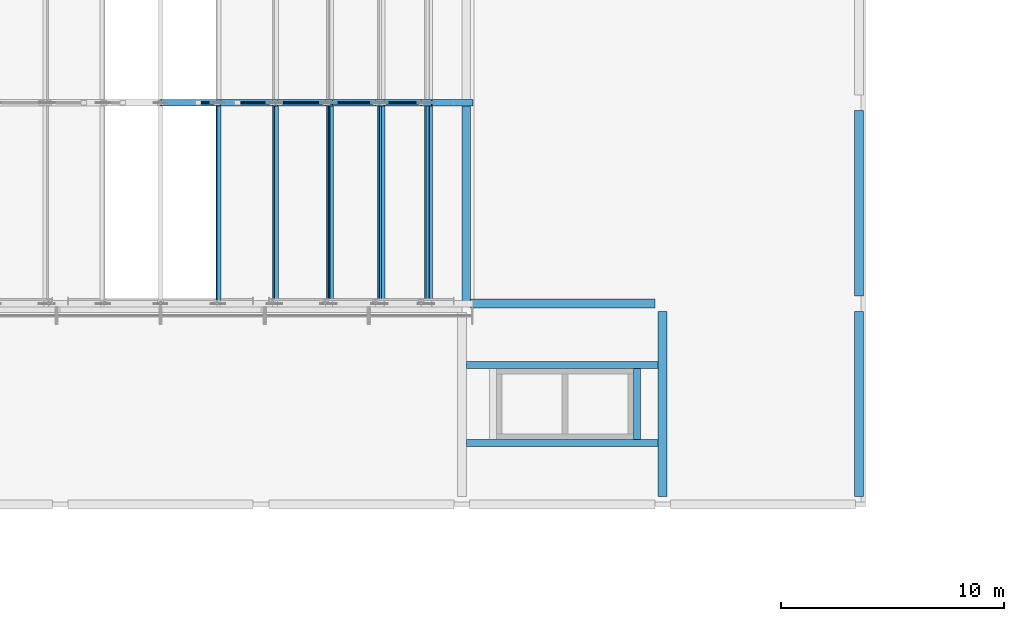
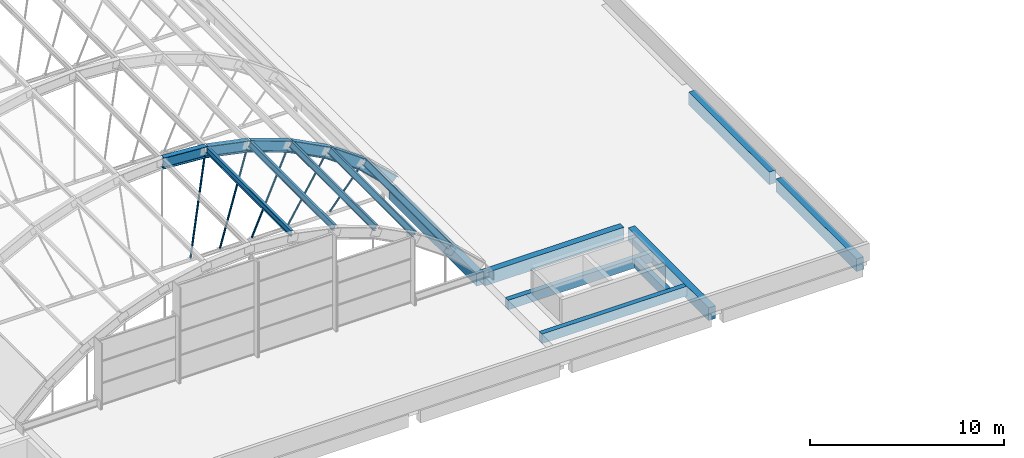
# One storey, part 8 of 43: 14 beams, 10 members.
"""IFC4 building model written with IfcOpenShell, lengths in metres."""

from ifc_helpers import new_model, si_unit, direction, frame, origin, origin_2d, place, context, subcontext, project, spatial, rectangle, hollow_circle, i_section, extrude, material, material_profile, profile_set, type_object, element, save


model = new_model("IFC4")

# Units and contexts
model_context = context("Model", 3, precision=1e-05, world=origin(), true_north=direction((0.0, 1.0)))
body_context = subcontext(model_context, "Body", "Model", "MODEL_VIEW")
ifc_project = project(units=[si_unit("LENGTHUNIT", "METRE"), si_unit("AREAUNIT", "SQUARE_METRE"), si_unit("VOLUMEUNIT", "CUBIC_METRE"), si_unit("PLANEANGLEUNIT", "RADIAN"), si_unit("MASSUNIT", "GRAM", prefix="KILO")], contexts=[model_context])

# Site, building, storey
site_placement = place(None, origin())
site = spatial("IfcSite", under=ifc_project, at=site_placement, CompositionType="ELEMENT")
building_placement = place(site_placement, origin())
building = spatial("IfcBuilding", under=site, at=building_placement, Name="Guidao Yard Department Store", CompositionType="ELEMENT")
storey_placement = place(building_placement, frame((0.0, 0.0, 28.5)))
storey = spatial("IfcBuildingStorey", under=building, at=storey_placement, Name="L06", CompositionType="ELEMENT", Elevation=28.5)

# Members
ifc_material_1 = material(Name="Steel Q355B", Category="steel")
ifc_material_profile_1 = material_profile(ifc_material_1, hollow_circle(Radius=0.056884765625, WallThickness=0.006103515625, at=origin_2d()), Name="CHS 114x6")
ifc_profile_set_1 = profile_set([ifc_material_profile_1], Name="Steel Q355B")
member_type_1 = type_object("IfcMemberType", Name="CHS 114x6", PredefinedType="BRACE", material=ifc_profile_set_1)
member_1_placement = place(storey_placement, frame((33.19189453125, 63.0, -0.33447265625), z_axis=(0.136467360836, 0.0, 0.990644567656), x_axis=(0.0, 1.0, 0.0)))
element("IfcMember", 1, at=member_1_placement, inside=storey, type_object=member_type_1, Name="Roof web strut A02-07", PredefinedType="BRACE", context=body_context, shape_type="SweptSolid", body=[
    extrude(hollow_circle(Radius=0.056884765625, WallThickness=0.006103515625, at=origin_2d()), origin(), (0.0, 0.0, 1.0), 6.1220703125),
])
member_2_placement = place(storey_placement, frame((34.946044921875, 63.0, -0.33447265625), z_axis=(0.270550525701, 0.0, 0.962705776986), x_axis=(0.0, 1.0, 0.0)))
element("IfcMember", 2, at=member_2_placement, inside=storey, type_object=member_type_1, Name="Roof web strut A02-08", PredefinedType="BRACE", context=body_context, shape_type="SweptSolid", body=[
    extrude(hollow_circle(Radius=0.056884765625, WallThickness=0.006103515625, at=origin_2d()), origin(), (0.0, 0.0, 1.0), 5.763427734375),
])
member_3_placement = place(storey_placement, frame((36.835693359375, 63.0, -0.33447265625), z_axis=(0.399904458312, 0.0, 0.916556830874), x_axis=(0.0, 1.0, 0.0)))
element("IfcMember", 3, at=member_3_placement, inside=storey, type_object=member_type_1, Name="Roof web strut A02-09", PredefinedType="BRACE", context=body_context, shape_type="SweptSolid", body=[
    extrude(hollow_circle(Radius=0.056884765625, WallThickness=0.006103515625, at=origin_2d()), origin(), (0.0, 0.0, 1.0), 5.127685546875),
])
member_4_placement = place(storey_placement, frame((38.959716796875, 63.0, -0.33447265625), z_axis=(0.522090893474, 0.0, 0.852889851594), x_axis=(0.0, 1.0, 0.0)))
element("IfcMember", 4, at=member_4_placement, inside=storey, type_object=member_type_1, Name="Roof web strut A02-10", PredefinedType="BRACE", context=body_context, shape_type="SweptSolid", body=[
    extrude(hollow_circle(Radius=0.056884765625, WallThickness=0.006103515625, at=origin_2d()), origin(), (0.0, 0.0, 1.0), 4.14404296875),
])
member_5_placement = place(storey_placement, frame((41.468017578125, 63.0, -0.33447265625), z_axis=(0.634904146186, 0.0, 0.772590917081), x_axis=(0.0, 1.0, 0.0)))
element("IfcMember", 5, at=member_5_placement, inside=storey, type_object=member_type_1, Name="Roof web strut A02-11", PredefinedType="BRACE", context=body_context, shape_type="SweptSolid", body=[
    extrude(hollow_circle(Radius=0.056884765625, WallThickness=0.006103515625, at=origin_2d()), origin(), (0.0, 0.0, 1.0), 2.686279296875),
])

# Beams
ifc_material_2 = material(Name="Concrete C40", Category="concrete")
ifc_material_profile_2 = material_profile(ifc_material_2, rectangle(XDim=0.39990234375, YDim=0.800048828125, at=origin_2d()), Name="Edge beam 400 x 800 C40")
ifc_profile_set_2 = profile_set([ifc_material_profile_2], Name="Concrete C40")
beam_type_1 = type_object("IfcBeamType", Name="Edge beam 400 x 800 C40", PredefinedType="BEAM", material=ifc_profile_set_2)
beam_1_placement = place(storey_placement, frame((45.39990234375, 54.0, -0.39990234375), z_axis=(1.0, 0.0, 0.0), x_axis=(0.0, 1.0, 0.0)))
element("IfcBeam", 6, at=beam_1_placement, inside=storey, type_object=beam_type_1, Name="Beam EB28", PredefinedType="BEAM", context=body_context, shape_type="SweptSolid", body=[
    extrude(rectangle(XDim=0.39990234375, YDim=0.800048828125, at=origin_2d()), origin(), (0.0, 0.0, 1.0), 8.25),
])
beam_2_placement = place(storey_placement, frame((54.0, 45.35009765625, -0.39990234375), z_axis=(0.0, 1.0, 0.0), x_axis=(-1.0, 0.0, 0.0)))
element("IfcBeam", 7, at=beam_2_placement, inside=storey, type_object=beam_type_1, Name="Beam EB30", PredefinedType="BEAM", context=body_context, shape_type="SweptSolid", body=[
    extrude(rectangle(XDim=0.39990234375, YDim=0.800048828125, at=origin_2d()), origin(), (0.0, 0.0, 1.0), 8.2998046875),
])

# Members
ifc_material_3 = material(Name="Steel Q355B", Category="steel")
ifc_material_profile_3 = material_profile(ifc_material_3, i_section(OverallWidth=0.175048828125, OverallDepth=0.35009765625, WebThickness=0.007080078125, FlangeThickness=0.010986328125, FilletRadius=0.012939453125, at=origin_2d()), Name="HN 350x175x7x11")
ifc_profile_set_3 = profile_set([ifc_material_profile_3], Name="Steel Q355B")
member_type_2 = type_object("IfcMemberType", Name="HN 350x175x7x11", PredefinedType="PURLIN", material=ifc_profile_set_3)
for number, where, z_axis, x_axis, name in (
    (8, (34.098388671875, 54.14990234375, 6.24609375), (0.0, 1.0, 0.0), (-0.990647128966, 0.0, 0.13644876647), "Roof purlin A01-07"),
    (9, (36.646240234375, 54.14990234375, 5.71533203125), (0.0, 1.0, 0.0), (-0.962711909047, 0.0, 0.270528704906), "Roof purlin A01-08"),
    (10, (39.09423828125, 54.14990234375, 4.84228515625), (0.0, 1.0, 0.0), (-0.916571220375, 0.0, 0.399871476828), "Roof purlin A01-09"),
    (11, (41.395263671875, 54.14990234375, 3.643798828125), (0.0, 1.0, 0.0), (-0.852874237271, 0.0, 0.522116400239), "Roof purlin A01-10"),
    (12, (43.504150390625, 54.14990234375, 2.14306640625), (0.0, 1.0, 0.0), (-0.772569517273, 0.0, 0.634930185911), "Roof purlin A01-11"),
):
    element("IfcMember", number, at=place(storey_placement, frame(where, z_axis=z_axis, x_axis=x_axis)), inside=storey, type_object=member_type_2, Name=name, PredefinedType="PURLIN", context=body_context, shape_type="SweptSolid", body=[
        extrude(i_section(OverallWidth=0.175048828125, OverallDepth=0.35009765625, WebThickness=0.007080078125, FlangeThickness=0.010986328125, FilletRadius=0.012939453125, at=origin_2d()), origin(), (0.0, 0.0, 1.0), 8.7001953125),
    ])

# Beams
ifc_material_4 = material(Name="Steel Q355B", Category="steel")
ifc_material_profile_4 = material_profile(ifc_material_4, i_section(OverallWidth=0.300048828125, OverallDepth=0.699951171875, WebThickness=0.012939453125, FlangeThickness=0.02392578125, FilletRadius=0.01806640625, at=origin_2d()), Name="HN 700x300x13x24")
ifc_profile_set_4 = profile_set([ifc_material_profile_4], Name="Steel Q355B")
beam_type_2 = type_object("IfcBeamType", Name="HN 700x300x13x24", PredefinedType="BEAM", material=ifc_profile_set_4)
beam_3_placement = place(storey_placement, frame((31.52392578125, 63.0, 6.252685546875), z_axis=(0.997662835171, 0.0, -0.06832911033), x_axis=(0.0, 1.0, 0.0)))
element("IfcBeam", 13, at=beam_3_placement, inside=storey, type_object=beam_type_2, Name="Roof rib A02-07", PredefinedType="BEAM", context=body_context, shape_type="SweptSolid", body=[
    extrude(i_section(OverallWidth=0.300048828125, OverallDepth=0.699951171875, WebThickness=0.012939453125, FlangeThickness=0.02392578125, FilletRadius=0.01806640625, at=origin_2d()), origin(), (0.0, 0.0, 1.0), 2.533203125),
])
beam_4_placement = place(storey_placement, frame((34.0986328125, 63.0, 6.072998046875), z_axis=(0.978991652307, 0.0, -0.203900330343), x_axis=(0.0, 1.0, 0.0)))
element("IfcBeam", 14, at=beam_4_placement, inside=storey, type_object=beam_type_2, Name="Roof rib A02-08", PredefinedType="BEAM", context=body_context, shape_type="SweptSolid", body=[
    extrude(i_section(OverallWidth=0.300048828125, OverallDepth=0.699951171875, WebThickness=0.012939453125, FlangeThickness=0.02392578125, FilletRadius=0.01806640625, at=origin_2d()), origin(), (0.0, 0.0, 1.0), 2.53125),
])
beam_5_placement = place(storey_placement, frame((36.622802734375, 63.0, 5.5439453125), z_axis=(0.94189041097, 0.0, -0.335920308588), x_axis=(0.0, 1.0, 0.0)))
element("IfcBeam", 15, at=beam_5_placement, inside=storey, type_object=beam_type_2, Name="Roof rib A02-09", PredefinedType="BEAM", context=body_context, shape_type="SweptSolid", body=[
    extrude(i_section(OverallWidth=0.300048828125, OverallDepth=0.699951171875, WebThickness=0.012939453125, FlangeThickness=0.02392578125, FilletRadius=0.01806640625, at=origin_2d()), origin(), (0.0, 0.0, 1.0), 2.52783203125),
])
beam_6_placement = place(storey_placement, frame((39.0478515625, 63.0, 4.675537109375), z_axis=(0.886910779875, 0.0, -0.461940763023), x_axis=(0.0, 1.0, 0.0)))
element("IfcBeam", 16, at=beam_6_placement, inside=storey, type_object=beam_type_2, Name="Roof rib A02-10", PredefinedType="BEAM", context=body_context, shape_type="SweptSolid", body=[
    extrude(i_section(OverallWidth=0.300048828125, OverallDepth=0.699951171875, WebThickness=0.012939453125, FlangeThickness=0.02392578125, FilletRadius=0.01806640625, at=origin_2d()), origin(), (0.0, 0.0, 1.0), 2.5224609375),
])
beam_7_placement = place(storey_placement, frame((41.326416015625, 63.0, 3.485107421875), z_axis=(0.814735308412, 0.0, -0.579833059791), x_axis=(0.0, 1.0, 0.0)))
element("IfcBeam", 17, at=beam_7_placement, inside=storey, type_object=beam_type_2, Name="Roof rib A02-11", PredefinedType="BEAM", context=body_context, shape_type="SweptSolid", body=[
    extrude(i_section(OverallWidth=0.300048828125, OverallDepth=0.699951171875, WebThickness=0.012939453125, FlangeThickness=0.02392578125, FilletRadius=0.01806640625, at=origin_2d()), origin(), (0.0, 0.0, 1.0), 2.51611328125),
])
beam_8_placement = place(storey_placement, frame((43.4140625, 63.0, 1.995361328125), z_axis=(0.726628290109, 0.0, -0.687030805724), x_axis=(0.0, 1.0, 0.0)))
element("IfcBeam", 18, at=beam_8_placement, inside=storey, type_object=beam_type_2, Name="Roof rib A02-12", PredefinedType="BEAM", context=body_context, shape_type="SweptSolid", body=[
    extrude(i_section(OverallWidth=0.300048828125, OverallDepth=0.699951171875, WebThickness=0.012939453125, FlangeThickness=0.02392578125, FilletRadius=0.01806640625, at=origin_2d()), origin(), (0.0, 0.0, 1.0), 2.533935546875),
])
ifc_material_5 = material(Name="Concrete C40", Category="concrete")
ifc_material_profile_5 = material_profile(ifc_material_5, rectangle(XDim=0.300048828125, YDim=0.60009765625, at=origin_2d()), Name="Opening beam 300 x 600 C40")
ifc_profile_set_5 = profile_set([ifc_material_profile_5], Name="Concrete C40")
beam_type_3 = type_object("IfcBeamType", Name="Opening beam 300 x 600 C40", PredefinedType="BEAM", material=ifc_profile_set_5)
for number, where, z_axis, x_axis, name in (
    (19, (45.199951171875, 47.75, -0.300048828125), (1.0, 0.0, 0.0), (0.0, 1.0, 0.0), "Beam OB05"),
    (20, (45.199951171875, 51.25, -0.300048828125), (1.0, 0.0, 0.0), (0.0, 1.0, 0.0), "Beam OB06"),
):
    element("IfcBeam", number, at=place(storey_placement, frame(where, z_axis=z_axis, x_axis=x_axis)), inside=storey, type_object=beam_type_3, Name=name, PredefinedType="BEAM", context=body_context, shape_type="SweptSolid", body=[
        extrude(rectangle(XDim=0.300048828125, YDim=0.60009765625, at=origin_2d()), origin(), (0.0, 0.0, 1.0), 8.60009765625),
    ])
beam_9_placement = place(storey_placement, frame((52.85009765625, 47.89990234375, -0.300048828125), z_axis=(0.0, 1.0, 0.0), x_axis=(-1.0, 0.0, 0.0)))
element("IfcBeam", 21, at=beam_9_placement, inside=storey, type_object=beam_type_3, Name="Beam OB08", PredefinedType="BEAM", context=body_context, shape_type="SweptSolid", body=[
    extrude(rectangle(XDim=0.300048828125, YDim=0.60009765625, at=origin_2d()), origin(), (0.0, 0.0, 1.0), 3.2001953125),
])
ifc_material_6 = material(Name="Concrete C40", Category="concrete")
ifc_material_profile_6 = material_profile(ifc_material_6, rectangle(XDim=0.39990234375, YDim=0.800048828125, at=origin_2d()), Name="Spandrel beam 400 x 800 C40")
ifc_profile_set_6 = profile_set([ifc_material_profile_6], Name="Concrete C40")
beam_type_4 = type_object("IfcBeamType", Name="Spandrel beam 400 x 800 C40", PredefinedType="SPANDREL", material=ifc_profile_set_6)
for number, where, z_axis, x_axis, name in (
    (22, (62.800048828125, 45.35009765625, -0.39990234375), (0.0, 1.0, 0.0), (-1.0, 0.0, 0.0), "Beam EB06"),
    (23, (62.800048828125, 54.35009765625, -0.39990234375), (0.0, 1.0, 0.0), (-1.0, 0.0, 0.0), "Beam EB07"),
):
    element("IfcBeam", number, at=place(storey_placement, frame(where, z_axis=z_axis, x_axis=x_axis)), inside=storey, type_object=beam_type_4, Name=name, PredefinedType="SPANDREL", context=body_context, shape_type="SweptSolid", body=[
        extrude(rectangle(XDim=0.39990234375, YDim=0.800048828125, at=origin_2d()), origin(), (0.0, 0.0, 1.0), 8.2998046875),
    ])
ifc_material_7 = material(Name="Concrete C40", Category="concrete")
ifc_material_profile_7 = material_profile(ifc_material_7, rectangle(XDim=0.39990234375, YDim=0.800048828125, at=origin_2d()), Name="Vault bearing beam 400 x 800 C40")
ifc_profile_set_7 = profile_set([ifc_material_profile_7], Name="Concrete C40")
beam_type_5 = type_object("IfcBeamType", Name="Vault bearing beam 400 x 800 C40", PredefinedType="BEAM", material=ifc_profile_set_7)
beam_10_placement = place(storey_placement, frame((45.199951171875, 54.0, -0.39990234375), z_axis=(0.0, 1.0, 0.0), x_axis=(-1.0, 0.0, 0.0)))
element("IfcBeam", 24, at=beam_10_placement, inside=storey, type_object=beam_type_5, Name="Beam VB08", PredefinedType="BEAM", context=body_context, shape_type="SweptSolid", body=[
    extrude(rectangle(XDim=0.39990234375, YDim=0.800048828125, at=origin_2d()), origin(), (0.0, 0.0, 1.0), 9.0),
])

save(model, "model.ifc")
